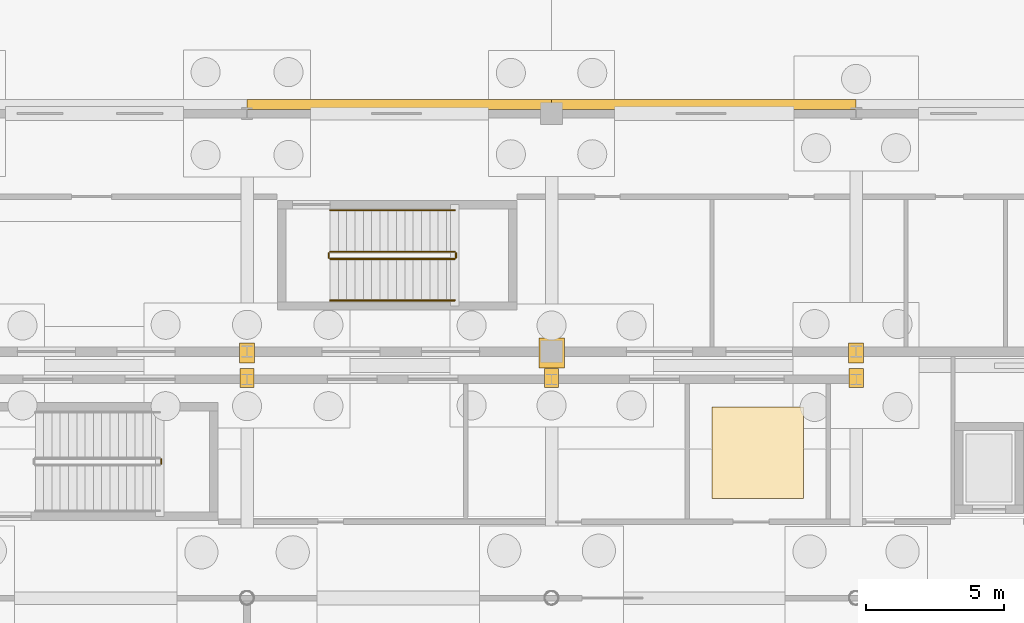
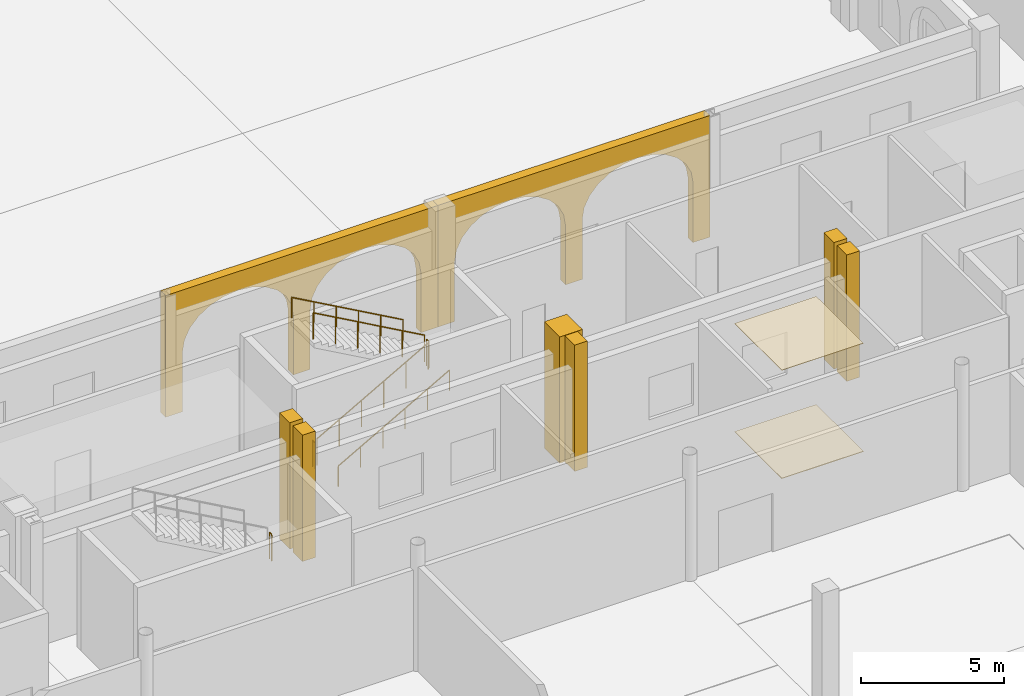
# One storey, part 69 of 83: 10 coverings, 7 railings.
"""IFC4 building model written with IfcOpenShell, lengths in metres."""

from ifc_helpers import new_model, si_unit, direction, frame, origin, origin_2d, place, context, subcontext, project, spatial, polyline, rectangle, circle, outline, extrude, material, layer, layer_set, type_object, element, save


model = new_model("IFC4")

# Units and contexts
model_context = context("Model", 3, precision=1e-05, world=origin(), true_north=direction((0.0, 1.0)))
body_context = subcontext(model_context, "Body", "Model", "MODEL_VIEW")
ifc_project = project(units=[si_unit("LENGTHUNIT", "METRE"), si_unit("AREAUNIT", "SQUARE_METRE"), si_unit("VOLUMEUNIT", "CUBIC_METRE"), si_unit("PLANEANGLEUNIT", "RADIAN"), si_unit("MASSUNIT", "GRAM", prefix="KILO")], contexts=[model_context])

# Site, building, storey
site_placement = place(None, origin())
site = spatial("IfcSite", under=ifc_project, at=site_placement, CompositionType="ELEMENT")
building_placement = place(site_placement, origin())
building = spatial("IfcBuilding", under=site, at=building_placement, Name="Caurita Quay Ferry Terminal", CompositionType="ELEMENT")
storey_placement = place(building_placement, origin())
storey = spatial("IfcBuildingStorey", under=building, at=storey_placement, Name="L00", CompositionType="ELEMENT", Elevation=0.0)

# Coverings
ifc_material_1 = material(Name="Warm-white lime stucco masonry", Category="masonry")
ifc_layer_1 = layer(ifc_material_1, 0.360107421875, Name="Spanish Colonial semicircular lime-stucco portales arcade 360 mm")
ifc_layer_set_1 = layer_set([ifc_layer_1], Name="Warm-white lime stucco masonry")
covering_type_1 = type_object("IfcCoveringType", Name="COV-ARC-CLD", PredefinedType="CLADDING", material=ifc_layer_set_1)
for number, where, z_axis, x_axis, name in (
    (1, (33.0, 80.52001953125, 0.0), (0.0, 0.0, 1.0), (1.0, 0.0, 0.0), "L00 Courtyard South Cloister Arcade 041"),
    (2, (44.0, 80.52001953125, 0.0), (0.0, 0.0, 1.0), (1.0, 0.0, 0.0), "L00 Courtyard South Cloister Arcade 043"),
):
    element("IfcCovering", number, at=place(storey_placement, frame(where, z_axis=z_axis, x_axis=x_axis)), inside=storey, type_object=covering_type_1, Name=name, PredefinedType="CLADDING", context=body_context, shape_type="SweptSolid", body=[
        extrude(outline(polyline([(0.0, 0.0), (0.679931640625, 0.0), (0.679931640625, 2.550048828125), (0.75634765625, 3.02880859375), (0.980224609375, 3.47509765625), (1.336181640625, 3.858154296875), (1.800048828125, 4.152099609375), (2.34033203125, 4.3369140625), (2.919921875, 4.39990234375), (3.499755859375, 4.3369140625), (4.0400390625, 4.152099609375), (4.50390625, 3.858154296875), (4.85986328125, 3.47509765625), (5.083740234375, 3.02880859375), (5.159912109375, 2.550048828125), (5.159912109375, 0.0), (5.840087890625, 0.0), (5.840087890625, 2.550048828125), (5.916259765625, 3.02880859375), (6.14013671875, 3.47509765625), (6.49609375, 3.858154296875), (6.9599609375, 4.152099609375), (7.500244140625, 4.3369140625), (8.080078125, 4.39990234375), (8.65966796875, 4.3369140625), (9.199951171875, 4.152099609375), (9.663818359375, 3.858154296875), (10.019775390625, 3.47509765625), (10.24365234375, 3.02880859375), (10.320068359375, 2.550048828125), (10.320068359375, 0.0), (11.0, 0.0), (11.0, 5.199951171875), (0.0, 5.199951171875), (0.0, 0.0)])), frame((0.0, 0.18017578125, 0.0), z_axis=(0.0, -1.0, 0.0), x_axis=(1.0, 0.0, 0.0)), (0.0, 0.0, 1.0), 0.360107421875),
    ])
ifc_material_2 = material(Name="Acoustic mineral fibre tile", Category="finish")
ifc_layer_2 = layer(ifc_material_2, 0.02001953125, Name="Acoustic mineral-fibre suspended ceiling 20 mm")
ifc_layer_set_2 = layer_set([ifc_layer_2], Name="Acoustic mineral fibre tile")
covering_type_2 = type_object("IfcCoveringType", Name="COV-CEIL-020", PredefinedType="CEILING", material=ifc_layer_set_2)
covering_1_placement = place(storey_placement, frame((0.0, 0.0, 4.624755859375)))
element("IfcCovering", 3, at=covering_1_placement, inside=storey, type_object=covering_type_2, Name="Departure Janitor and Cleaners Store L00 Acoustic Ceiling", PredefinedType="CEILING", context=body_context, shape_type="SweptSolid", body=[
    extrude(outline(polyline([(49.800048828125, 66.300048828125), (53.10009765625, 66.300048828125), (53.10009765625, 69.60009765625), (49.800048828125, 69.60009765625), (49.800048828125, 66.300048828125)])), origin(), (0.0, 0.0, 1.0), 0.02001953125),
])
ifc_material_3 = material(Name="Polished marine terrazzo tile", Category="finish")
ifc_layer_3 = layer(ifc_material_3, 0.02490234375, Name="Polished marine terrazzo floor finish 25 mm")
ifc_layer_set_3 = layer_set([ifc_layer_3], Name="Polished marine terrazzo tile")
covering_type_3 = type_object("IfcCoveringType", Name="COV-FLR-025", PredefinedType="FLOORING", material=ifc_layer_set_3)
covering_2_placement = place(storey_placement, origin())
element("IfcCovering", 4, at=covering_2_placement, inside=storey, type_object=covering_type_3, Name="Departure Janitor and Cleaners Store L00 Terrazzo Flooring", PredefinedType="FLOORING", context=body_context, shape_type="SweptSolid", body=[
    extrude(outline(polyline([(49.800048828125, 66.300048828125), (53.10009765625, 66.300048828125), (53.10009765625, 69.60009765625), (49.800048828125, 69.60009765625), (49.800048828125, 66.300048828125)])), origin(), (0.0, 0.0, 1.0), 0.02490234375),
])
ifc_layer_4 = layer(ifc_material_1, 0.179931640625, Name="Classical engaged lime-stucco facade pilaster cladding 180 mm")
ifc_layer_set_4 = layer_set([ifc_layer_4], Name="Warm-white lime stucco masonry")
covering_type_4 = type_object("IfcCoveringType", Name="COV-PIL-CLD", PredefinedType="CLADDING", material=ifc_layer_set_4)
for number, where, z_axis, x_axis, name in (
    (5, (33.0, 70.64990234375, 0.0), (0.0, 0.0, 1.0), (1.0, 0.0, 0.0), "L00 Classical Engaged Pilaster 0037"),
    (6, (44.0, 70.64990234375, 0.0), (0.0, 0.0, 1.0), (1.0, 0.0, 0.0), "L00 Classical Engaged Pilaster 0044"),
    (7, (55.0, 70.64990234375, 0.0), (0.0, 0.0, 1.0), (1.0, 0.0, 0.0), "L00 Classical Engaged Pilaster 0051"),
):
    element("IfcCovering", number, at=place(storey_placement, frame(where, z_axis=z_axis, x_axis=x_axis)), inside=storey, type_object=covering_type_4, Name=name, PredefinedType="CLADDING", context=body_context, shape_type="SweptSolid", body=[
        extrude(rectangle(XDim=0.518798828125, YDim=0.673583984375, at=origin_2d()), origin(), (0.0, 0.0, 1.0), 5.39990234375),
    ])
covering_3_placement = place(storey_placement, frame((33.0, 71.550048828125, 0.0), z_axis=(0.0, 0.0, 1.0), x_axis=(1.0, 0.0, 0.0)))
element("IfcCovering", 8, at=covering_3_placement, inside=storey, type_object=covering_type_4, Name="L00 Classical Engaged Pilaster 0328", PredefinedType="CLADDING", context=body_context, shape_type="SweptSolid", body=[
    extrude(rectangle(XDim=0.531005859375, YDim=0.714111328125, at=origin_2d()), origin(), (0.0, 0.0, 1.0), 5.39990234375),
])
covering_4_placement = place(storey_placement, frame((44.0, 71.550048828125, 0.0), z_axis=(0.0, 0.0, 1.0), x_axis=(1.0, 0.0, 0.0)))
element("IfcCovering", 9, at=covering_4_placement, inside=storey, type_object=covering_type_4, Name="L00 Classical Engaged Pilaster 0342", PredefinedType="CLADDING", context=body_context, shape_type="SweptSolid", body=[
    extrude(rectangle(XDim=0.919921875, YDim=1.080078125, at=origin_2d()), origin(), (0.0, 0.0, 1.0), 5.39990234375),
])
covering_5_placement = place(storey_placement, frame((55.0, 71.550048828125, 0.0), z_axis=(0.0, 0.0, 1.0), x_axis=(1.0, 0.0, 0.0)))
element("IfcCovering", 10, at=covering_5_placement, inside=storey, type_object=covering_type_4, Name="L00 Classical Engaged Pilaster 0356", PredefinedType="CLADDING", context=body_context, shape_type="SweptSolid", body=[
    extrude(rectangle(XDim=0.531005859375, YDim=0.714111328125, at=origin_2d()), origin(), (0.0, 0.0, 1.0), 5.39990234375),
])

# Railings
ifc_material_4 = material(Name="Bronze architectural metalwork", Category="metal")
railing_type_1 = type_object("IfcRailingType", Name="RL-HND-090", PredefinedType="HANDRAIL", material=ifc_material_4)
railing_1_placement = place(storey_placement, frame((36.0, 73.449951171875, 0.168701171875)))
element("IfcRailing", 11, at=railing_1_placement, inside=storey, type_object=railing_type_1, Name="L00 ST-03 stair handrail 1", PredefinedType="HANDRAIL", context=body_context, shape_type="SweptSolid", body=[
    extrude(circle(Radius=0.02392578125, at=origin_2d()), frame((0.0, 0.0, 0.8759765625), z_axis=(0.871575537125, 0.0, 0.490261239633), x_axis=(0.0, 1.0, 0.0)), (0.0, 0.0, 1.0), 5.1630859375),
    extrude(circle(Radius=0.02099609375, at=origin_2d()), origin(), (0.0, 0.0, 1.0), 0.851806640625),
    extrude(circle(Radius=0.02099609375, at=origin_2d()), frame((0.89990234375, 0.0, 0.50634765625)), (0.0, 0.0, 1.0), 0.851806640625),
    extrude(circle(Radius=0.02099609375, at=origin_2d()), frame((1.800048828125, 0.0, 1.012451171875)), (0.0, 0.0, 1.0), 0.851806640625),
    extrude(circle(Radius=0.02099609375, at=origin_2d()), frame((2.699951171875, 0.0, 1.518798828125)), (0.0, 0.0, 1.0), 0.851806640625),
    extrude(circle(Radius=0.02099609375, at=origin_2d()), frame((3.60009765625, 0.0, 2.02490234375)), (0.0, 0.0, 1.0), 0.851806640625),
    extrude(circle(Radius=0.02099609375, at=origin_2d()), frame((4.5, 0.0, 2.53125)), (0.0, 0.0, 1.0), 0.851806640625),
])
railing_2_placement = place(storey_placement, frame((40.5, 76.7099609375, 2.86865234375)))
element("IfcRailing", 12, at=railing_2_placement, inside=storey, type_object=railing_type_1, Name="L00 ST-03 stair handrail 2", PredefinedType="HANDRAIL", context=body_context, shape_type="SweptSolid", body=[
    extrude(circle(Radius=0.02392578125, at=origin_2d()), frame((0.0, 0.0, 0.8759765625), z_axis=(-0.871575537125, 0.0, 0.490261239633), x_axis=(0.0, -1.0, 0.0)), (0.0, 0.0, 1.0), 5.1630859375),
    extrude(circle(Radius=0.02099609375, at=origin_2d()), origin(), (0.0, 0.0, 1.0), 0.851806640625),
    extrude(circle(Radius=0.02099609375, at=origin_2d()), frame((-0.89990234375, 0.0, 0.50634765625)), (0.0, 0.0, 1.0), 0.851806640625),
    extrude(circle(Radius=0.02099609375, at=origin_2d()), frame((-1.800048828125, 0.0, 1.012451171875)), (0.0, 0.0, 1.0), 0.851806640625),
    extrude(circle(Radius=0.02099609375, at=origin_2d()), frame((-2.699951171875, 0.0, 1.518798828125)), (0.0, 0.0, 1.0), 0.851806640625),
    extrude(circle(Radius=0.02099609375, at=origin_2d()), frame((-3.60009765625, 0.0, 2.02490234375)), (0.0, 0.0, 1.0), 0.851806640625),
    extrude(circle(Radius=0.02099609375, at=origin_2d()), frame((-4.5, 0.0, 2.53125)), (0.0, 0.0, 1.0), 0.851806640625),
])
railing_type_2 = type_object("IfcRailingType", Name="RL-REJA-115", PredefinedType="BALUSTRADE", material=ifc_material_4)
railing_3_placement = place(storey_placement, frame((36.0, 74.949951171875, 0.168701171875)))
element("IfcRailing", 13, at=railing_3_placement, inside=storey, type_object=railing_type_2, Name="L00 ST-03 stair guard 1", PredefinedType="BALUSTRADE", context=body_context, shape_type="SweptSolid", body=[
    extrude(circle(Radius=0.02392578125, at=origin_2d()), frame((0.0, 0.0, 1.1259765625), z_axis=(0.871575537125, 0.0, 0.490261239633), x_axis=(0.0, 1.0, 0.0)), (0.0, 0.0, 1.0), 5.1630859375),
    extrude(circle(Radius=0.02099609375, at=origin_2d()), origin(), (0.0, 0.0, 1.0), 1.101806640625),
    extrude(circle(Radius=0.02099609375, at=origin_2d()), frame((0.89990234375, 0.0, 0.50634765625)), (0.0, 0.0, 1.0), 1.101806640625),
    extrude(circle(Radius=0.02099609375, at=origin_2d()), frame((1.800048828125, 0.0, 1.012451171875)), (0.0, 0.0, 1.0), 1.101806640625),
    extrude(circle(Radius=0.02099609375, at=origin_2d()), frame((2.699951171875, 0.0, 1.518798828125)), (0.0, 0.0, 1.0), 1.101806640625),
    extrude(circle(Radius=0.02099609375, at=origin_2d()), frame((3.60009765625, 0.0, 2.02490234375)), (0.0, 0.0, 1.0), 1.101806640625),
    extrude(circle(Radius=0.02099609375, at=origin_2d()), frame((4.5, 0.0, 2.53125)), (0.0, 0.0, 1.0), 1.101806640625),
])
railing_4_placement = place(storey_placement, frame((40.550048828125, 75.0, 2.699951171875)))
element("IfcRailing", 14, at=railing_4_placement, inside=storey, type_object=railing_type_2, Name="L00 ST-03 stair guard 2", PredefinedType="BALUSTRADE", context=body_context, shape_type="SweptSolid", body=[
    extrude(circle(Radius=0.02392578125, at=origin_2d()), frame((0.0, 0.0, 1.1259765625), z_axis=(0.0, 1.0, 0.0), x_axis=(-1.0, 0.0, 0.0)), (0.0, 0.0, 1.0), 0.159912109375),
    extrude(circle(Radius=0.02099609375, at=origin_2d()), origin(), (0.0, 0.0, 1.0), 1.101806640625),
    extrude(circle(Radius=0.02099609375, at=origin_2d()), frame((0.0, 0.159912109375, 0.0)), (0.0, 0.0, 1.0), 1.101806640625),
])
railing_5_placement = place(storey_placement, frame((40.5, 75.2099609375, 2.86865234375)))
element("IfcRailing", 15, at=railing_5_placement, inside=storey, type_object=railing_type_2, Name="L00 ST-03 stair guard 3", PredefinedType="BALUSTRADE", context=body_context, shape_type="SweptSolid", body=[
    extrude(circle(Radius=0.02392578125, at=origin_2d()), frame((0.0, 0.0, 1.1259765625), z_axis=(-0.871575537125, 0.0, 0.490261239633), x_axis=(0.0, -1.0, 0.0)), (0.0, 0.0, 1.0), 5.1630859375),
    extrude(circle(Radius=0.02099609375, at=origin_2d()), origin(), (0.0, 0.0, 1.0), 1.101806640625),
    extrude(circle(Radius=0.02099609375, at=origin_2d()), frame((-0.89990234375, 0.0, 0.50634765625)), (0.0, 0.0, 1.0), 1.101806640625),
    extrude(circle(Radius=0.02099609375, at=origin_2d()), frame((-1.800048828125, 0.0, 1.012451171875)), (0.0, 0.0, 1.0), 1.101806640625),
    extrude(circle(Radius=0.02099609375, at=origin_2d()), frame((-2.699951171875, 0.0, 1.518798828125)), (0.0, 0.0, 1.0), 1.101806640625),
    extrude(circle(Radius=0.02099609375, at=origin_2d()), frame((-3.60009765625, 0.0, 2.02490234375)), (0.0, 0.0, 1.0), 1.101806640625),
    extrude(circle(Radius=0.02099609375, at=origin_2d()), frame((-4.5, 0.0, 2.53125)), (0.0, 0.0, 1.0), 1.101806640625),
])
for number, where, name in (
    (16, (35.949951171875, 75.0, 0.0), "L00 ST-03 stair guard 4"),
    (17, (29.89990234375, 67.550048828125, 2.699951171875), "L00 ST-06 stair guard 2"),
):
    element("IfcRailing", number, at=place(storey_placement, frame(where)), inside=storey, type_object=railing_type_2, Name=name, PredefinedType="BALUSTRADE", context=body_context, shape_type="SweptSolid", body=[
        extrude(circle(Radius=0.02392578125, at=origin_2d()), frame((0.0, 0.0, 1.1259765625), z_axis=(0.0, 1.0, 0.0), x_axis=(-1.0, 0.0, 0.0)), (0.0, 0.0, 1.0), 0.159912109375),
        extrude(circle(Radius=0.02099609375, at=origin_2d()), origin(), (0.0, 0.0, 1.0), 1.101806640625),
        extrude(circle(Radius=0.02099609375, at=origin_2d()), frame((0.0, 0.159912109375, 0.0)), (0.0, 0.0, 1.0), 1.101806640625),
    ])

save(model, "model.ifc")
